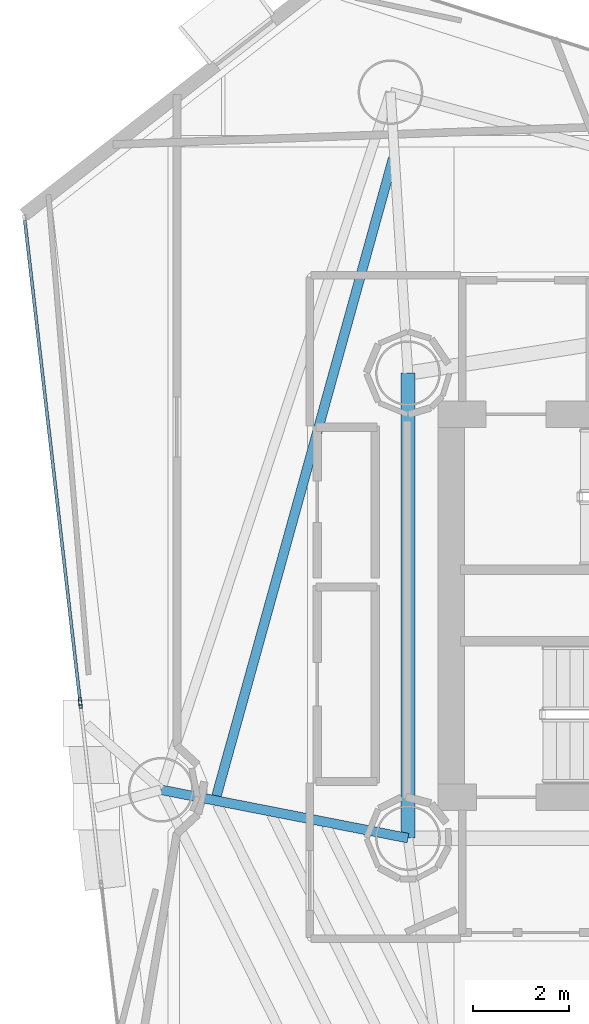
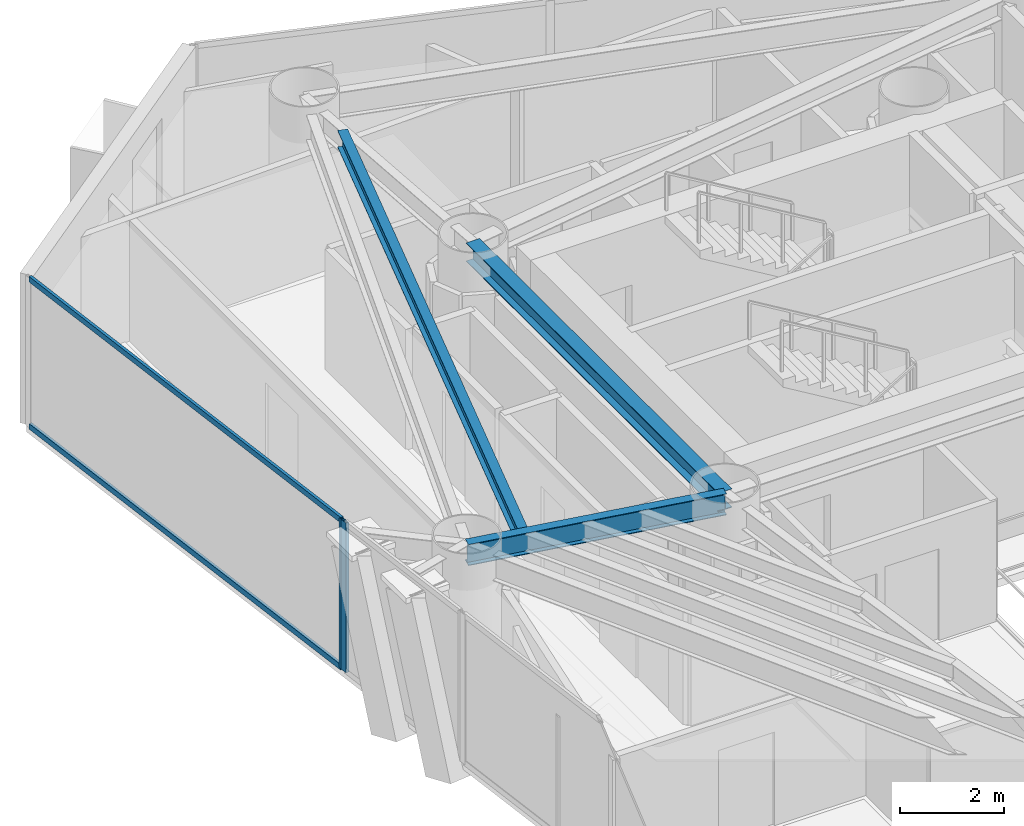
# One storey, part 9 of 22: 4 members, 3 beams, 2 elements without a shape of their own.
"""IFC4 building model written with IfcOpenShell, lengths in metres."""

from ifc_helpers import new_model, si_unit, direction, frame, origin, origin_2d, place, context, subcontext, project, spatial, hollow_rectangle, i_section, extrude, material, layer, layer_set, material_profile, profile_set, type_object, element, aggregate, save


model = new_model("IFC4")

# Units and contexts
model_context = context("Model", 3, precision=1e-05, world=origin(), true_north=direction((0.0, 1.0)))
body_context = subcontext(model_context, "Body", "Model", "MODEL_VIEW")
ifc_project = project(units=[si_unit("LENGTHUNIT", "METRE"), si_unit("AREAUNIT", "SQUARE_METRE"), si_unit("VOLUMEUNIT", "CUBIC_METRE"), si_unit("PLANEANGLEUNIT", "RADIAN"), si_unit("MASSUNIT", "GRAM", prefix="KILO")], contexts=[model_context])

# Site, building, storey
site_placement = place(None, origin())
site = spatial("IfcSite", under=ifc_project, at=site_placement, CompositionType="ELEMENT")
building_placement = place(site_placement, origin())
building = spatial("IfcBuilding", under=site, at=building_placement, Name="Qianvela Tower", CompositionType="ELEMENT")
storey_placement = place(building_placement, frame((0.0, 0.0, 173.5)))
storey = spatial("IfcBuildingStorey", under=building, at=storey_placement, Name="L44", CompositionType="ELEMENT", Elevation=173.5)

# Beams
ifc_material_1 = material(Name="Steel Q355B", Category="steel")
ifc_material_profile_1 = material_profile(ifc_material_1, i_section(OverallWidth=0.300048828125, OverallDepth=0.43994140625, WebThickness=0.010986328125, FlangeThickness=0.01806640625, at=origin_2d()), Name="HM440x300x11x18")
ifc_profile_set_1 = profile_set([ifc_material_profile_1], Name="Steel Q355B")
beam_type_1 = type_object("IfcBeamType", Name="BM-HM440-COLL", PredefinedType="BEAM", material=ifc_profile_set_1)
beam_1_placement = place(storey_placement, frame((28.60009765625, 33.550048828125, 3.298095703125), z_axis=(0.0, -1.0, 0.0), x_axis=(1.0, 0.0, 0.0)))
element("IfcBeam", 1, at=beam_1_placement, inside=storey, type_object=beam_type_1, Name="L44 Core Ring Collector Girder CC2", PredefinedType="BEAM", context=body_context, shape_type="SweptSolid", body=[
    extrude(i_section(OverallWidth=0.300048828125, OverallDepth=0.43994140625, WebThickness=0.010986328125, FlangeThickness=0.01806640625, at=origin_2d()), origin(), (0.0, 0.0, 1.0), 9.699951171875),
])
ifc_material_2 = material(Name="Steel Q355B", Category="steel")
ifc_material_profile_2 = material_profile(ifc_material_2, i_section(OverallWidth=0.199951171875, OverallDepth=0.39990234375, WebThickness=0.008056640625, FlangeThickness=0.012939453125, at=origin_2d()), Name="HN400x200x8x13")
ifc_profile_set_2 = profile_set([ifc_material_profile_2], Name="Steel Q355B")
beam_type_2 = type_object("IfcBeamType", Name="BM-HN400-JOIST", PredefinedType="JOIST", material=ifc_profile_set_2)
beam_2_placement = place(storey_placement, frame((28.289794921875, 38.029052734375, 3.318115234375), z_axis=(-0.266971346744, -0.963704467157, 0.0), x_axis=(0.963704467157, -0.266971346744, 0.0)))
element("IfcBeam", 2, at=beam_2_placement, inside=storey, type_object=beam_type_2, Name="L44 Secondary Composite Floor Joist 3.3", PredefinedType="JOIST", context=body_context, shape_type="SweptSolid", body=[
    extrude(i_section(OverallWidth=0.199951171875, OverallDepth=0.39990234375, WebThickness=0.008056640625, FlangeThickness=0.012939453125, at=origin_2d()), origin(), (0.0, 0.0, 1.0), 13.800537109375),
])
ifc_material_3 = material(Name="Steel Q355B", Category="steel")
ifc_material_profile_3 = material_profile(ifc_material_3, i_section(OverallWidth=0.199951171875, OverallDepth=0.5, WebThickness=0.010009765625, FlangeThickness=0.01611328125, at=origin_2d()), Name="HN500x200x10x16")
ifc_profile_set_3 = profile_set([ifc_material_profile_3], Name="Steel Q355B")
beam_type_3 = type_object("IfcBeamType", Name="BM-HN500-GIRD", PredefinedType="BEAM", material=ifc_profile_set_3)
beam_3_placement = place(storey_placement, frame((28.60009765625, 23.85009765625, 3.26806640625), z_axis=(-0.98137875074, 0.192082658238, 0.0), x_axis=(-0.192082658238, -0.98137875074, 0.0)))
element("IfcBeam", 3, at=beam_3_placement, inside=storey, type_object=beam_type_3, Name="L44 Radial Primary Floor Girder 4", PredefinedType="BEAM", context=body_context, shape_type="SweptSolid", body=[
    extrude(i_section(OverallWidth=0.199951171875, OverallDepth=0.5, WebThickness=0.010009765625, FlangeThickness=0.01611328125, at=origin_2d()), origin(), (0.0, 0.0, 1.0), 5.251953125),
])

# Curtain wall, member
ifc_material_4 = material(Name="Anodised Architectural Aluminium and Insulated Spandrel Panel", Category="aluminium")
ifc_layer_1 = layer(ifc_material_4, 0.179931640625)
ifc_layer_set_1 = layer_set([ifc_layer_1], Name="Anodised Architectural Aluminium and Insulated Spandrel Panel")
curtain_wall_type_1 = type_object("IfcCurtainWallType", Name="CW-BRACEBAY", PredefinedType="USERDEFINED", material=ifc_layer_set_1)
curtain_wall_1_placement = place(storey_placement, origin())
curtain_wall_1 = element("IfcCurtainWall", 4, at=curtain_wall_1_placement, inside=storey, type_object=curtain_wall_type_1, Name="L44 CW-BRACEBAY Curtain Wall 04B", ObjectType="CURTAIN_WALL_SYSTEM", PredefinedType="USERDEFINED")
ifc_material_5 = material(Name="Anodised Architectural Aluminium 6063-T6", Category="aluminium")
ifc_material_profile_4 = material_profile(ifc_material_5, hollow_rectangle(XDim=0.06494140625, YDim=0.159912109375, WallThickness=0.0048828125, at=origin_2d()), Name="ALU-MULL-65x160")
ifc_profile_set_4 = profile_set([ifc_material_profile_4], Name="Anodised Architectural Aluminium 6063-T6")
member_type_1 = type_object("IfcMemberType", Name="CW-BRACEBAY-MULL", PredefinedType="MULLION", material=ifc_profile_set_4)
member_1_placement = place(storey_placement, frame((21.767822265625, 26.640380859375, 0.0), z_axis=(0.0, 0.0, 1.0), x_axis=(0.993452772179, 0.114243553211, 0.0)))
member_1 = element("IfcMember", 5, at=member_1_placement, type_object=member_type_1, Name="CW-9 mullion 1", PredefinedType="MULLION", context=body_context, shape_type="SweptSolid", body=[
    extrude(hollow_rectangle(XDim=0.06494140625, YDim=0.159912109375, WallThickness=0.0048828125, at=origin_2d()), origin(), (0.0, 0.0, 1.0), 3.52001953125),
])
aggregate(curtain_wall_1, [member_1])

# Curtain wall, members
ifc_material_6 = material(Name="Anodised Architectural Aluminium and Low-E Glass", Category="aluminium")
ifc_layer_2 = layer(ifc_material_6, 0.169921875)
ifc_layer_set_2 = layer_set([ifc_layer_2], Name="Anodised Architectural Aluminium and Low-E Glass")
curtain_wall_type_2 = type_object("IfcCurtainWallType", Name="CW-COLIV-Z34", PredefinedType="USERDEFINED", material=ifc_layer_set_2)
curtain_wall_2_placement = place(storey_placement, origin())
curtain_wall_2 = element("IfcCurtainWall", 6, at=curtain_wall_2_placement, inside=storey, type_object=curtain_wall_type_2, Name="L44 CW-COLIV-Z34 Curtain Wall 04A", ObjectType="CURTAIN_WALL_SYSTEM", PredefinedType="USERDEFINED")
ifc_material_7 = material(Name="Anodised Architectural Aluminium 6063-T6", Category="aluminium")
ifc_material_profile_5 = material_profile(ifc_material_7, hollow_rectangle(XDim=0.06494140625, YDim=0.159912109375, WallThickness=0.0048828125, at=origin_2d()), Name="ALU-MULL-65x160")
ifc_profile_set_5 = profile_set([ifc_material_profile_5], Name="Anodised Architectural Aluminium 6063-T6")
member_type_2 = type_object("IfcMemberType", Name="CW-COLIV-Z34-MULL", PredefinedType="MULLION", material=ifc_profile_set_5)
member_2_placement = place(storey_placement, frame((21.760498046875, 26.704833984375, 0.0), z_axis=(0.0, 0.0, 1.0), x_axis=(0.993452573461, 0.114245281235, 0.0)))
member_2 = element("IfcMember", 7, at=member_2_placement, type_object=member_type_2, Name="CW-4 mullion 2", PredefinedType="MULLION", context=body_context, shape_type="SweptSolid", body=[
    extrude(hollow_rectangle(XDim=0.06494140625, YDim=0.159912109375, WallThickness=0.0048828125, at=origin_2d()), origin(), (0.0, 0.0, 1.0), 3.52001953125),
])
ifc_material_8 = material(Name="Anodised Architectural Aluminium 6063-T6", Category="aluminium")
ifc_material_profile_6 = material_profile(ifc_material_8, hollow_rectangle(XDim=0.06494140625, YDim=0.1298828125, WallThickness=0.00439453125, at=origin_2d()), Name="ALU-TRAN-65x130")
ifc_profile_set_6 = profile_set([ifc_material_profile_6], Name="Anodised Architectural Aluminium 6063-T6")
member_type_3 = type_object("IfcMemberType", Name="CW-COLIV-Z34-TRAN", PredefinedType="USERDEFINED", material=ifc_profile_set_6)
member_3_placement = place(storey_placement, frame((20.6064453125, 36.7412109375, 0.032470703125), z_axis=(0.114238528568, -0.993453349982, 0.0), x_axis=(0.993453349982, 0.114238528568, 0.0)))
member_3 = element("IfcMember", 8, at=member_3_placement, type_object=member_type_3, Name="CW-4 transom 1.1", ObjectType="TRANSOM", PredefinedType="USERDEFINED", context=body_context, shape_type="SweptSolid", body=[
    extrude(hollow_rectangle(XDim=0.06494140625, YDim=0.1298828125, WallThickness=0.00439453125, at=origin_2d()), origin(), (0.0, 0.0, 1.0), 10.070068359375),
])
member_4_placement = place(storey_placement, frame((20.6064453125, 36.7412109375, 3.487548828125), z_axis=(0.114238528568, -0.993453349982, 0.0), x_axis=(0.993453349982, 0.114238528568, 0.0)))
member_4 = element("IfcMember", 9, at=member_4_placement, type_object=member_type_3, Name="CW-4 transom 1.2", ObjectType="TRANSOM", PredefinedType="USERDEFINED", context=body_context, shape_type="SweptSolid", body=[
    extrude(hollow_rectangle(XDim=0.06494140625, YDim=0.1298828125, WallThickness=0.00439453125, at=origin_2d()), origin(), (0.0, 0.0, 1.0), 10.070068359375),
])
aggregate(curtain_wall_2, [member_2, member_3, member_4])

save(model, "model.ifc")
